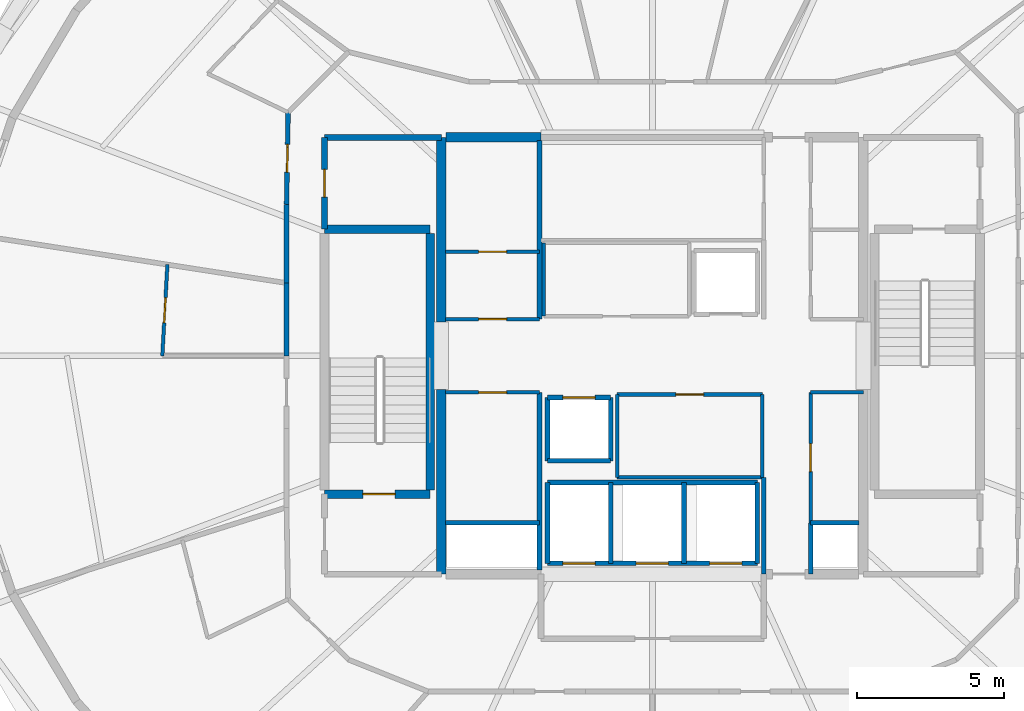
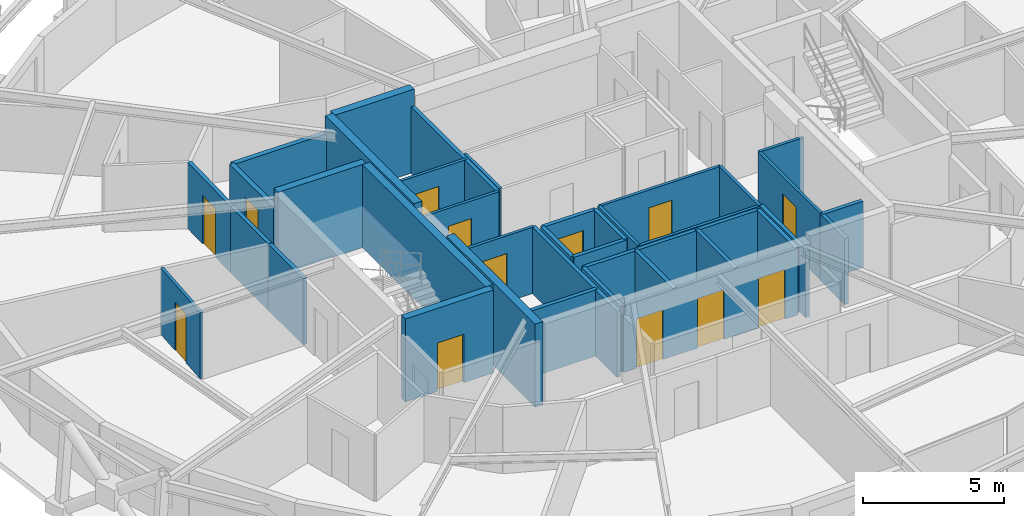
# One storey, part 13 of 17: 38 walls, 13 doors, 13 openings.
"""IFC4 building model written with IfcOpenShell, lengths in metres."""

from ifc_helpers import new_model, si_unit, direction, frame, frame_2d, origin, place, context, subcontext, project, spatial, rectangle, extrude, material, layer, layer_set, type_object, element, fill, save


model = new_model("IFC4")

# Units and contexts
model_context = context("Model", 3, precision=1e-05, world=origin(), true_north=direction((0.0, 1.0)))
body_context = subcontext(model_context, "Body", "Model", "MODEL_VIEW")
ifc_project = project(units=[si_unit("LENGTHUNIT", "METRE"), si_unit("AREAUNIT", "SQUARE_METRE"), si_unit("VOLUMEUNIT", "CUBIC_METRE"), si_unit("PLANEANGLEUNIT", "RADIAN"), si_unit("MASSUNIT", "GRAM", prefix="KILO")], contexts=[model_context])

# Site, building, storey
site_placement = place(None, origin())
site = spatial("IfcSite", under=ifc_project, at=site_placement, CompositionType="ELEMENT")
building_placement = place(site_placement, origin())
building = spatial("IfcBuilding", under=site, at=building_placement, Name="Veldorina Hangang Commons", CompositionType="ELEMENT")
storey_placement = place(building_placement, frame((0.0, 0.0, 214.800048828125)))
storey = spatial("IfcBuildingStorey", under=building, at=storey_placement, Name="L55", CompositionType="ELEMENT", Elevation=214.800048828125)

# Walls
ifc_material_1 = material(Name="Concrete C50/60", Category="concrete")
ifc_layer_1 = layer(ifc_material_1, 0.320068359375)
ifc_layer_set_1 = layer_set([ifc_layer_1], Name="Concrete C50/60")
wall_type_1 = type_object("IfcWallType", Name="CW-RC320-C50", PredefinedType="SHEAR", material=ifc_layer_set_1)
for number, where, z_axis, x_axis, name in (
    (1, (24.800048828125, 16.550048828125, 0.0), (0.0, 0.0, 1.0), (0.0, 1.0, 0.0), "L55 W south core shear wall"),
    (2, (24.800048828125, 25.14990234375, 0.0), (0.0, 0.0, 1.0), (0.0, 1.0, 0.0), "L55 W north core shear wall"),
):
    element("IfcWall", number, at=place(storey_placement, frame(where, z_axis=z_axis, x_axis=x_axis)), inside=storey, type_object=wall_type_1, Name=name, PredefinedType="SHEAR", context=body_context, shape_type="SweptSolid", body=[
        extrude(rectangle(XDim=6.300048828125, YDim=0.320068359375, at=frame_2d((3.14990234375, 0.0))), origin(), (0.0, 0.0, 1.0), 3.599853515625),
    ])
wall_1_placement = place(storey_placement, frame((24.9599609375, 31.449951171875, 0.0), z_axis=(0.0, 0.0, 1.0), x_axis=(1.0, 0.0, 0.0)))
element("IfcWall", 3, at=wall_1_placement, inside=storey, type_object=wall_type_1, Name="L55 north-west core shear wall", PredefinedType="SHEAR", context=body_context, shape_type="SweptSolid", body=[
    extrude(rectangle(XDim=3.239990234375, YDim=0.320068359375, at=frame_2d((1.6201171875, 0.0))), origin(), (0.0, 0.0, 1.0), 3.599853515625),
])
ifc_layer_2 = layer(ifc_material_1, 0.300048828125)
ifc_layer_set_2 = layer_set([ifc_layer_2], Name="Concrete C50/60")
wall_type_2 = type_object("IfcWallType", Name="SW-STAIR-300", PredefinedType="SHEAR", material=ifc_layer_set_2)
wall_2_placement = place(storey_placement, frame((24.419921875, 19.429931640625, 0.0), z_axis=(0.0, 0.0, 1.0), x_axis=(0.0, 1.0, 0.0)))
element("IfcWall", 4, at=wall_2_placement, inside=storey, type_object=wall_type_2, Name="L55 ST1 inner stair shear wall", PredefinedType="SHEAR", context=body_context, shape_type="SweptSolid", body=[
    extrude(rectangle(XDim=8.739990234375, YDim=0.300048828125, at=frame_2d((4.3701171875, 0.0))), origin(), (0.0, 0.0, 1.0), 3.599853515625),
])

# Wall, opening, door
wall_3_placement = place(storey_placement, frame((20.820068359375, 19.280029296875, 0.0), z_axis=(0.0, 0.0, 1.0), x_axis=(1.0, 0.0, 0.0)))
wall_3 = element("IfcWall", 5, at=wall_3_placement, inside=storey, type_object=wall_type_2, Name="L55 ST1 south stair shear wall", PredefinedType="SHEAR", context=body_context, shape_type="SweptSolid", body=[
    extrude(rectangle(XDim=3.599853515625, YDim=0.300048828125, at=frame_2d((1.7998046875, 0.0))), origin(), (0.0, 0.0, 1.0), 3.599853515625),
])
opening_1_placement = place(wall_3_placement, frame((1.300048828125, 0.0, 0.0)))
opening_1 = element("IfcOpeningElement", 6, at=opening_1_placement, cuts=wall_3, Name="Opening D-08", PredefinedType="OPENING", context=body_context, shape_type="SweptSolid", body=[
    extrude(rectangle(XDim=1.10009765625, YDim=2.10009765625, at=frame_2d((0.550048828125, 1.050048828125))), frame((0.0, 0.16015625, 0.0), z_axis=(0.0, -1.0, 0.0), x_axis=(1.0, 0.0, 0.0)), (0.0, 0.0, 1.0), 0.320068359375),
])
ifc_material_2 = material(Name="Steel Fire-Rated Smoke Seal", Category="steel")
door_type_1 = type_object("IfcDoorType", Name="DR-FIRE-1100", OperationType="SINGLE_SWING_RIGHT", PredefinedType="DOOR", material=ifc_material_2)
door_1_placement = place(opening_1_placement, origin())
door_1 = element("IfcDoor", 7, at=door_1_placement, inside=storey, type_object=door_type_1, Name="L55 Special Escape Stair ST-1 door", OperationType="SINGLE_SWING_LEFT", OverallHeight=2.10009765625, OverallWidth=1.10009765625, PredefinedType="DOOR", context=body_context, shape_type="SweptSolid", body=[
    extrude(rectangle(XDim=1.10009765625, YDim=2.10009765625, at=frame_2d((0.550048828125, 1.050048828125))), frame((0.0, 0.02490234375, 0.0), z_axis=(0.0, -1.0, 0.0), x_axis=(1.0, 0.0, 0.0)), (0.0, 0.0, 1.0), 0.050048828125),
])
fill(opening_1, door_1)

# Walls
wall_4_placement = place(storey_placement, frame((20.820068359375, 28.320068359375, 0.0), z_axis=(0.0, 0.0, 1.0), x_axis=(1.0, 0.0, 0.0)))
element("IfcWall", 8, at=wall_4_placement, inside=storey, type_object=wall_type_2, Name="L55 ST1 north stair shear wall", PredefinedType="SHEAR", context=body_context, shape_type="SweptSolid", body=[
    extrude(rectangle(XDim=3.599853515625, YDim=0.300048828125, at=frame_2d((1.7998046875, 0.0))), origin(), (0.0, 0.0, 1.0), 3.599853515625),
])
ifc_material_3 = material(Name="Gypsum Fire-Rated Twin Stud Wall", Category="gypsum")
ifc_layer_3 = layer(ifc_material_3, 0.159912109375)
ifc_layer_set_3 = layer_set([ifc_layer_3], Name="Gypsum Fire-Rated Twin Stud Wall")
wall_type_3 = type_object("IfcWallType", Name="WL-FIRE-160", PredefinedType="SOLIDWALL", material=ifc_layer_set_3)
wall_5_placement = place(storey_placement, frame((35.800048828125, 16.550048828125, 0.0), z_axis=(0.0, 0.0, 1.0), x_axis=(0.0, 1.0, 0.0)))
element("IfcWall", 9, at=wall_5_placement, inside=storey, type_object=wall_type_3, Name="L55 Lift passage SW wall 009", PredefinedType="SOLIDWALL", context=body_context, shape_type="SweptSolid", body=[
    extrude(rectangle(XDim=3.300048828125, YDim=0.159912109375, at=frame_2d((1.64990234375, 0.0))), origin(), (0.0, 0.0, 1.0), 2.869873046875),
])
wall_6_placement = place(storey_placement, frame((37.39990234375, 16.550048828125, 0.0), z_axis=(0.0, 0.0, 1.0), x_axis=(0.0, 1.0, 0.0)))
element("IfcWall", 10, at=wall_6_placement, inside=storey, type_object=wall_type_3, Name="L55 Lift passage SE stub 010", PredefinedType="SOLIDWALL", context=body_context, shape_type="SweptSolid", body=[
    extrude(rectangle(XDim=1.75, YDim=0.159912109375, at=frame_2d((0.875, 0.0))), origin(), (0.0, 0.0, 1.0), 2.869873046875),
])

# Wall, opening, door
wall_7_placement = place(storey_placement, frame((28.419921875, 22.580078125, 0.0), z_axis=(0.0, 0.0, 1.0), x_axis=(1.0, 0.0, 0.0)))
wall_7 = element("IfcWall", 11, at=wall_7_placement, inside=storey, type_object=wall_type_3, Name="L55 Shuttle-high front shaft wall 019", PredefinedType="SOLIDWALL", context=body_context, shape_type="SweptSolid", body=[
    extrude(rectangle(XDim=2.16015625, YDim=0.159912109375, at=frame_2d((1.080078125, 0.0))), origin(), (0.0, 0.0, 1.0), 2.869873046875),
])
opening_2_placement = place(wall_7_placement, frame((0.530029296875, 0.0, 0.0)))
opening_2 = element("IfcOpeningElement", 12, at=opening_2_placement, cuts=wall_7, Name="Opening LD-01", PredefinedType="OPENING", context=body_context, shape_type="SweptSolid", body=[
    extrude(rectangle(XDim=1.10009765625, YDim=2.14990234375, at=frame_2d((0.550048828125, 1.074951171875))), frame((0.0, 0.08984375, 0.0), z_axis=(0.0, -1.0, 0.0), x_axis=(1.0, 0.0, 0.0)), (0.0, 0.0, 1.0), 0.179931640625),
])
ifc_material_4 = material(Name="Stainless Steel Brushed Lift Door", Category="steel")
door_type_2 = type_object("IfcDoorType", Name="DR-LIFT-1100", OperationType="SLIDING_TO_LEFT", PredefinedType="DOOR", material=ifc_material_4)
door_2_placement = place(opening_2_placement, origin())
door_2 = element("IfcDoor", 13, at=door_2_placement, inside=storey, type_object=door_type_2, Name="L55 Lift PL-H2 landing door 007", OperationType="SLIDING_TO_LEFT", OverallHeight=2.14990234375, OverallWidth=1.10009765625, PredefinedType="DOOR", context=body_context, shape_type="SweptSolid", body=[
    extrude(rectangle(XDim=1.10009765625, YDim=2.14990234375, at=frame_2d((0.550048828125, 1.074951171875))), frame((0.0, 0.02490234375, 0.0), z_axis=(0.0, -1.0, 0.0), x_axis=(1.0, 0.0, 0.0)), (0.0, 0.0, 1.0), 0.050048828125),
])
fill(opening_2, door_2)

# Walls
for number, where, z_axis, x_axis, name in (
    (14, (28.419921875, 20.419921875, 0.0), (0.0, 0.0, 1.0), (1.0, 0.0, 0.0), "L55 Shuttle-high rear shaft wall 020"),
    (15, (28.419921875, 20.419921875, 0.0), (0.0, 0.0, 1.0), (0.0, 1.0, 0.0), "L55 PL-H2 west shaft wall 021"),
    (16, (30.580078125, 20.419921875, 0.0), (0.0, 0.0, 1.0), (0.0, 1.0, 0.0), "L55 PL-H2 east shaft wall 022"),
):
    element("IfcWall", number, at=place(storey_placement, frame(where, z_axis=z_axis, x_axis=x_axis)), inside=storey, type_object=wall_type_3, Name=name, PredefinedType="SOLIDWALL", context=body_context, shape_type="SweptSolid", body=[
        extrude(rectangle(XDim=2.16015625, YDim=0.159912109375, at=frame_2d((1.080078125, 0.0))), origin(), (0.0, 0.0, 1.0), 2.869873046875),
    ])

# Wall, openings, doors
wall_8_placement = place(storey_placement, frame((28.419921875, 16.919921875, 0.0), z_axis=(0.0, 0.0, 1.0), x_axis=(1.0, 0.0, 0.0)))
wall_8 = element("IfcWall", 17, at=wall_8_placement, inside=storey, type_object=wall_type_3, Name="L55 Emergency front shaft wall 023", PredefinedType="SOLIDWALL", context=body_context, shape_type="SweptSolid", body=[
    extrude(rectangle(XDim=7.16015625, YDim=0.159912109375, at=frame_2d((3.580078125, 0.0))), origin(), (0.0, 0.0, 1.0), 2.869873046875),
])
opening_3_placement = place(wall_8_placement, frame((0.530029296875, 0.0, 0.0)))
opening_3 = element("IfcOpeningElement", 18, at=opening_3_placement, cuts=wall_8, Name="Opening LD-03", PredefinedType="OPENING", context=body_context, shape_type="SweptSolid", body=[
    extrude(rectangle(XDim=1.10009765625, YDim=2.14990234375, at=frame_2d((0.550048828125, 1.074951171875))), frame((0.0, 0.08984375, 0.0), z_axis=(0.0, -1.0, 0.0), x_axis=(1.0, 0.0, 0.0)), (0.0, 0.0, 1.0), 0.179931640625),
])
opening_4_placement = place(wall_8_placement, frame((3.030029296875, 0.0, 0.0)))
opening_4 = element("IfcOpeningElement", 19, at=opening_4_placement, cuts=wall_8, Name="Opening LD-03", PredefinedType="OPENING", context=body_context, shape_type="SweptSolid", body=[
    extrude(rectangle(XDim=1.10009765625, YDim=2.14990234375, at=frame_2d((0.550048828125, 1.074951171875))), frame((0.0, 0.08984375, 0.0), z_axis=(0.0, -1.0, 0.0), x_axis=(1.0, 0.0, 0.0)), (0.0, 0.0, 1.0), 0.179931640625),
])
opening_5_placement = place(wall_8_placement, frame((5.530029296875, 0.0, 0.0)))
opening_5 = element("IfcOpeningElement", 20, at=opening_5_placement, cuts=wall_8, Name="Opening LD-03", PredefinedType="OPENING", context=body_context, shape_type="SweptSolid", body=[
    extrude(rectangle(XDim=1.10009765625, YDim=2.14990234375, at=frame_2d((0.550048828125, 1.074951171875))), frame((0.0, 0.08984375, 0.0), z_axis=(0.0, -1.0, 0.0), x_axis=(1.0, 0.0, 0.0)), (0.0, 0.0, 1.0), 0.179931640625),
])
ifc_material_5 = material(Name="Stainless Steel Firefighting Lift Door", Category="steel")
door_type_3 = type_object("IfcDoorType", Name="DR-LIFT-FF1100", OperationType="SLIDING_TO_RIGHT", PredefinedType="DOOR", material=ifc_material_5)
door_3_placement = place(opening_3_placement, origin())
door_3 = element("IfcDoor", 21, at=door_3_placement, inside=storey, type_object=door_type_3, Name="L55 Emergency lift FFL-1 landing door 008", OperationType="SLIDING_TO_RIGHT", OverallHeight=2.14990234375, OverallWidth=1.10009765625, PredefinedType="DOOR", context=body_context, shape_type="SweptSolid", body=[
    extrude(rectangle(XDim=1.10009765625, YDim=2.14990234375, at=frame_2d((0.550048828125, 1.074951171875))), frame((0.0, 0.02490234375, 0.0), z_axis=(0.0, -1.0, 0.0), x_axis=(1.0, 0.0, 0.0)), (0.0, 0.0, 1.0), 0.050048828125),
])
fill(opening_3, door_3)
door_4_placement = place(opening_4_placement, origin())
door_4 = element("IfcDoor", 22, at=door_4_placement, inside=storey, type_object=door_type_3, Name="L55 Emergency lift FFL-2 landing door 009", OperationType="SLIDING_TO_RIGHT", OverallHeight=2.14990234375, OverallWidth=1.10009765625, PredefinedType="DOOR", context=body_context, shape_type="SweptSolid", body=[
    extrude(rectangle(XDim=1.10009765625, YDim=2.14990234375, at=frame_2d((0.550048828125, 1.074951171875))), frame((0.0, 0.02490234375, 0.0), z_axis=(0.0, -1.0, 0.0), x_axis=(1.0, 0.0, 0.0)), (0.0, 0.0, 1.0), 0.050048828125),
])
fill(opening_4, door_4)
door_5_placement = place(opening_5_placement, origin())
door_5 = element("IfcDoor", 23, at=door_5_placement, inside=storey, type_object=door_type_3, Name="L55 Emergency lift EVL-1 landing door 010", OperationType="SLIDING_TO_RIGHT", OverallHeight=2.14990234375, OverallWidth=1.10009765625, PredefinedType="DOOR", context=body_context, shape_type="SweptSolid", body=[
    extrude(rectangle(XDim=1.10009765625, YDim=2.14990234375, at=frame_2d((0.550048828125, 1.074951171875))), frame((0.0, 0.02490234375, 0.0), z_axis=(0.0, -1.0, 0.0), x_axis=(1.0, 0.0, 0.0)), (0.0, 0.0, 1.0), 0.050048828125),
])
fill(opening_5, door_5)

# Walls
wall_9_placement = place(storey_placement, frame((28.419921875, 19.679931640625, 0.0), z_axis=(0.0, 0.0, 1.0), x_axis=(1.0, 0.0, 0.0)))
element("IfcWall", 24, at=wall_9_placement, inside=storey, type_object=wall_type_3, Name="L55 Emergency rear shaft wall 024", PredefinedType="SOLIDWALL", context=body_context, shape_type="SweptSolid", body=[
    extrude(rectangle(XDim=7.16015625, YDim=0.159912109375, at=frame_2d((3.580078125, 0.0))), origin(), (0.0, 0.0, 1.0), 2.869873046875),
])
for number, where, z_axis, x_axis, name in (
    (25, (28.419921875, 16.919921875, 0.0), (0.0, 0.0, 1.0), (0.0, 1.0, 0.0), "L55 FFL-1 west shaft wall 025"),
    (26, (30.580078125, 16.919921875, 0.0), (0.0, 0.0, 1.0), (0.0, 1.0, 0.0), "L55 FFL-1 east shaft wall 026"),
    (27, (33.080078125, 16.919921875, 0.0), (0.0, 0.0, 1.0), (0.0, 1.0, 0.0), "L55 FFL-2 east shaft wall 027"),
    (28, (35.580078125, 16.919921875, 0.0), (0.0, 0.0, 1.0), (0.0, 1.0, 0.0), "L55 EVL-1 east shaft wall 028"),
):
    element("IfcWall", number, at=place(storey_placement, frame(where, z_axis=z_axis, x_axis=x_axis)), inside=storey, type_object=wall_type_3, Name=name, PredefinedType="SOLIDWALL", context=body_context, shape_type="SweptSolid", body=[
        extrude(rectangle(XDim=2.760009765625, YDim=0.159912109375, at=frame_2d((1.3798828125, 0.0))), origin(), (0.0, 0.0, 1.0), 2.869873046875),
    ])
wall_10_placement = place(storey_placement, frame((24.949951171875, 18.300048828125, 0.0), z_axis=(0.0, 0.0, 1.0), x_axis=(1.0, 0.0, 0.0)))
element("IfcWall", 29, at=wall_10_placement, inside=storey, type_object=wall_type_3, Name="L55 Electrical riser wall 040", PredefinedType="SOLIDWALL", context=body_context, shape_type="SweptSolid", body=[
    extrude(rectangle(XDim=3.199951171875, YDim=0.159912109375, at=frame_2d((1.60009765625, 0.0))), origin(), (0.0, 0.0, 1.0), 2.869873046875),
])
wall_11_placement = place(storey_placement, frame((28.14990234375, 16.699951171875, 0.0), z_axis=(0.0, 0.0, 1.0), x_axis=(0.0, 1.0, 0.0)))
element("IfcWall", 30, at=wall_11_placement, inside=storey, type_object=wall_type_3, Name="L55 SW core inner wall 041", PredefinedType="SOLIDWALL", context=body_context, shape_type="SweptSolid", body=[
    extrude(rectangle(XDim=6.050048828125, YDim=0.159912109375, at=frame_2d((3.02490234375, 0.0))), origin(), (0.0, 0.0, 1.0), 2.869873046875),
])
wall_12_placement = place(storey_placement, frame((37.39990234375, 18.300048828125, 0.0), z_axis=(0.0, 0.0, 1.0), x_axis=(1.0, 0.0, 0.0)))
element("IfcWall", 31, at=wall_12_placement, inside=storey, type_object=wall_type_3, Name="L55 Plumbing riser wall 042", PredefinedType="SOLIDWALL", context=body_context, shape_type="SweptSolid", body=[
    extrude(rectangle(XDim=1.650146484375, YDim=0.159912109375, at=frame_2d((0.8251953125, 0.0))), origin(), (0.0, 0.0, 1.0), 2.869873046875),
])
wall_13_placement = place(storey_placement, frame((28.14990234375, 25.25, 0.0), z_axis=(0.0, 0.0, 1.0), x_axis=(0.0, 1.0, 0.0)))
element("IfcWall", 32, at=wall_13_placement, inside=storey, type_object=wall_type_3, Name="L55 NW core inner wall 043", PredefinedType="SOLIDWALL", context=body_context, shape_type="SweptSolid", body=[
    extrude(rectangle(XDim=6.10009765625, YDim=0.159912109375, at=frame_2d((3.050048828125, 0.0))), origin(), (0.0, 0.0, 1.0), 2.869873046875),
])

# Wall, opening, door
wall_14_placement = place(storey_placement, frame((19.5732421875, 32.30322265625, 0.0), z_axis=(0.0, 0.0, 1.0), x_axis=(-0.016981035134, -0.999855811828, 0.0)))
wall_14 = element("IfcWall", 33, at=wall_14_placement, inside=storey, type_object=wall_type_3, Name="L55 Compact collar outer wall 13 065", PredefinedType="SOLIDWALL", context=body_context, shape_type="SweptSolid", body=[
    extrude(rectangle(XDim=3.13427734375, YDim=0.159912109375, at=frame_2d((1.567138671875, 0.0))), origin(), (0.0, 0.0, 1.0), 2.869873046875),
])
opening_6_placement = place(wall_14_placement, frame((1.09228515625, 0.0, 0.0)))
opening_6 = element("IfcOpeningElement", 34, at=opening_6_placement, cuts=wall_14, Name="Opening D-03", PredefinedType="OPENING", context=body_context, shape_type="SweptSolid", body=[
    extrude(rectangle(XDim=0.949951171875, YDim=2.10009765625, at=frame_2d((0.47509765625, 1.050048828125))), frame((0.0, 0.08984375, 0.0), z_axis=(0.0, -1.0, 0.0), x_axis=(1.0, 0.0, 0.0)), (0.0, 0.0, 1.0), 0.179931640625),
])
ifc_material_6 = material(Name="Timber Fire-Rated Entrance Core", Category="wood")
door_type_4 = type_object("IfcDoorType", Name="DR-UNIT-950", OperationType="SINGLE_SWING_RIGHT", PredefinedType="DOOR", material=ifc_material_6)
door_6_placement = place(opening_6_placement, origin())
door_6 = element("IfcDoor", 35, at=door_6_placement, inside=storey, type_object=door_type_4, Name="L55 Studio 6 entrance door 031", OperationType="SINGLE_SWING_LEFT", OverallHeight=2.10009765625, OverallWidth=0.949951171875, PredefinedType="DOOR", context=body_context, shape_type="SweptSolid", body=[
    extrude(rectangle(XDim=0.949951171875, YDim=2.10009765625, at=frame_2d((0.47509765625, 1.050048828125))), frame((0.0, 0.02490234375, 0.0), z_axis=(0.0, -1.0, 0.0), x_axis=(1.0, 0.0, 0.0)), (0.0, 0.0, 1.0), 0.050048828125),
])
fill(opening_6, door_6)

# Walls
wall_15_placement = place(storey_placement, frame((19.52001953125, 29.16943359375, 0.0), z_axis=(0.0, 0.0, 1.0), x_axis=(0.0, -1.0, 0.0)))
element("IfcWall", 36, at=wall_15_placement, inside=storey, type_object=wall_type_3, Name="L55 Compact collar outer wall 14 066", PredefinedType="SOLIDWALL", context=body_context, shape_type="SweptSolid", body=[
    extrude(rectangle(XDim=2.68701171875, YDim=0.159912109375, at=frame_2d((1.343505859375, 0.0))), origin(), (0.0, 0.0, 1.0), 2.869873046875),
])
wall_16_placement = place(storey_placement, frame((19.52001953125, 26.482421875, 0.0), z_axis=(0.0, 0.0, 1.0), x_axis=(0.0, -1.0, 0.0)))
element("IfcWall", 37, at=wall_16_placement, inside=storey, type_object=wall_type_3, Name="L55 Compact collar outer wall 15 067", PredefinedType="SOLIDWALL", context=body_context, shape_type="SweptSolid", body=[
    extrude(rectangle(XDim=2.482421875, YDim=0.159912109375, at=frame_2d((1.2412109375, 0.0))), origin(), (0.0, 0.0, 1.0), 2.869873046875),
])

# Wall, opening, door
ifc_material_7 = material(Name="Concrete Blockwork Fire Wall C30/37", Category="masonry")
ifc_layer_4 = layer(ifc_material_7, 0.199951171875)
ifc_layer_set_4 = layer_set([ifc_layer_4], Name="Concrete Blockwork Fire Wall C30/37")
wall_type_4 = type_object("IfcWallType", Name="WL-FIRE-200", PredefinedType="SOLIDWALL", material=ifc_layer_set_4)
wall_17_placement = place(storey_placement, frame((20.820068359375, 28.320068359375, 0.0), z_axis=(0.0, 0.0, 1.0), x_axis=(0.0, 1.0, 0.0)))
wall_17 = element("IfcWall", 38, at=wall_17_placement, inside=storey, type_object=wall_type_4, Name="L55 NW core room outer wall 005", PredefinedType="SOLIDWALL", context=body_context, shape_type="SweptSolid", body=[
    extrude(rectangle(XDim=3.1298828125, YDim=0.199951171875, at=frame_2d((1.56494140625, 0.0))), origin(), (0.0, 0.0, 1.0), 2.869873046875),
])
opening_7_placement = place(wall_17_placement, frame((1.090087890625, 0.0, 0.0)))
opening_7 = element("IfcOpeningElement", 39, at=opening_7_placement, cuts=wall_17, Name="Opening D-04", PredefinedType="OPENING", context=body_context, shape_type="SweptSolid", body=[
    extrude(rectangle(XDim=0.949951171875, YDim=2.10009765625, at=frame_2d((0.47509765625, 1.050048828125))), frame((0.0, 0.10986328125, 0.0), z_axis=(0.0, -1.0, 0.0), x_axis=(1.0, 0.0, 0.0)), (0.0, 0.0, 1.0), 0.219970703125),
])
ifc_material_8 = material(Name="Timber Accessible Flush Leaf", Category="wood")
door_type_5 = type_object("IfcDoorType", Name="DR-ACC-950", OperationType="SINGLE_SWING_LEFT", PredefinedType="DOOR", material=ifc_material_8)
door_7_placement = place(opening_7_placement, origin())
door_7 = element("IfcDoor", 40, at=door_7_placement, inside=storey, type_object=door_type_5, Name="L55 NW core WC door 003", OperationType="SINGLE_SWING_LEFT", OverallHeight=2.10009765625, OverallWidth=0.949951171875, PredefinedType="DOOR", context=body_context, shape_type="SweptSolid", body=[
    extrude(rectangle(XDim=0.949951171875, YDim=2.10009765625, at=frame_2d((0.47509765625, 1.050048828125))), frame((0.0, 0.02490234375, 0.0), z_axis=(0.0, -1.0, 0.0), x_axis=(1.0, 0.0, 0.0)), (0.0, 0.0, 1.0), 0.050048828125),
])
fill(opening_7, door_7)

# Walls
wall_18_placement = place(storey_placement, frame((20.820068359375, 31.449951171875, 0.0), z_axis=(0.0, 0.0, 1.0), x_axis=(1.0, 0.0, 0.0)))
element("IfcWall", 41, at=wall_18_placement, inside=storey, type_object=wall_type_4, Name="L55 NW core room north wall 006", PredefinedType="SOLIDWALL", context=body_context, shape_type="SweptSolid", body=[
    extrude(rectangle(XDim=3.97998046875, YDim=0.199951171875, at=frame_2d((1.989990234375, 0.0))), origin(), (0.0, 0.0, 1.0), 2.869873046875),
])
ifc_material_9 = material(Name="Gypsum Acoustic Stud Partition", Category="gypsum")
ifc_layer_5 = layer(ifc_material_9, 0.1201171875)
ifc_layer_set_5 = layer_set([ifc_layer_5], Name="Gypsum Acoustic Stud Partition")
wall_type_5 = type_object("IfcWallType", Name="WL-PART-120", PredefinedType="PARTITIONING", material=ifc_layer_set_5)
wall_19_placement = place(storey_placement, frame((28.300048828125, 25.35009765625, 0.0), z_axis=(0.0, 0.0, 1.0), x_axis=(0.0, 1.0, 0.0)))
element("IfcWall", 42, at=wall_19_placement, inside=storey, type_object=wall_type_5, Name="L55 Merged mid-bank west wall 034", PredefinedType="PARTITIONING", context=body_context, shape_type="SweptSolid", body=[
    extrude(rectangle(XDim=2.5, YDim=0.1201171875, at=frame_2d((1.25, 0.0))), origin(), (0.0, 0.0, 1.0), 2.869873046875),
])

# Wall, opening, door
wall_20_placement = place(storey_placement, frame((30.800048828125, 22.679931640625, 0.0), z_axis=(0.0, 0.0, 1.0), x_axis=(1.0, 0.0, 0.0)))
wall_20 = element("IfcWall", 43, at=wall_20_placement, inside=storey, type_object=wall_type_5, Name="L55 Merged shuttle north wall 036", PredefinedType="PARTITIONING", context=body_context, shape_type="SweptSolid", body=[
    extrude(rectangle(XDim=4.949951171875, YDim=0.1201171875, at=frame_2d((2.47509765625, 0.0))), origin(), (0.0, 0.0, 1.0), 2.869873046875),
])
opening_8_placement = place(wall_20_placement, frame((2.0, 0.0, 0.0)))
opening_8 = element("IfcOpeningElement", 44, at=opening_8_placement, cuts=wall_20, Name="Opening D-02", PredefinedType="OPENING", context=body_context, shape_type="SweptSolid", body=[
    extrude(rectangle(XDim=0.949951171875, YDim=2.10009765625, at=frame_2d((0.47509765625, 1.050048828125))), frame((0.0, 0.070068359375, 0.0), z_axis=(0.0, -1.0, 0.0), x_axis=(1.0, 0.0, 0.0)), (0.0, 0.0, 1.0), 0.14013671875),
])
ifc_material_10 = material(Name="Timber Solid Core Acoustic", Category="wood")
door_type_6 = type_object("IfcDoorType", Name="DR-INT-950", OperationType="SINGLE_SWING_LEFT", PredefinedType="DOOR", material=ifc_material_10)
door_8_placement = place(opening_8_placement, origin())
door_8 = element("IfcDoor", 45, at=door_8_placement, inside=storey, type_object=door_type_6, Name="L55 Floor tea pantry door 013", OperationType="SINGLE_SWING_LEFT", OverallHeight=2.10009765625, OverallWidth=0.949951171875, PredefinedType="DOOR", context=body_context, shape_type="SweptSolid", body=[
    extrude(rectangle(XDim=0.949951171875, YDim=2.10009765625, at=frame_2d((0.47509765625, 1.050048828125))), frame((0.0, 0.02490234375, 0.0), z_axis=(0.0, -1.0, 0.0), x_axis=(1.0, 0.0, 0.0)), (0.0, 0.0, 1.0), 0.050048828125),
])
fill(opening_8, door_8)

# Walls
wall_21_placement = place(storey_placement, frame((30.800048828125, 19.85009765625, 0.0), z_axis=(0.0, 0.0, 1.0), x_axis=(1.0, 0.0, 0.0)))
element("IfcWall", 46, at=wall_21_placement, inside=storey, type_object=wall_type_5, Name="L55 Merged shuttle south wall 037", PredefinedType="PARTITIONING", context=body_context, shape_type="SweptSolid", body=[
    extrude(rectangle(XDim=4.949951171875, YDim=0.1201171875, at=frame_2d((2.47509765625, 0.0))), origin(), (0.0, 0.0, 1.0), 2.869873046875),
])
for number, where, z_axis, x_axis, name in (
    (47, (30.800048828125, 19.85009765625, 0.0), (0.0, 0.0, 1.0), (0.0, 1.0, 0.0), "L55 Merged shuttle west wall 038"),
    (48, (35.75, 19.85009765625, 0.0), (0.0, 0.0, 1.0), (0.0, 1.0, 0.0), "L55 Merged shuttle east wall 039"),
):
    element("IfcWall", number, at=place(storey_placement, frame(where, z_axis=z_axis, x_axis=x_axis)), inside=storey, type_object=wall_type_5, Name=name, PredefinedType="PARTITIONING", context=body_context, shape_type="SweptSolid", body=[
        extrude(rectangle(XDim=2.829833984375, YDim=0.1201171875, at=frame_2d((1.4150390625, 0.0))), origin(), (0.0, 0.0, 1.0), 2.869873046875),
    ])

# Wall, opening, door
wall_22_placement = place(storey_placement, frame((24.949951171875, 25.25, 0.0), z_axis=(0.0, 0.0, 1.0), x_axis=(1.0, 0.0, 0.0)))
wall_22 = element("IfcWall", 49, at=wall_22_placement, inside=storey, type_object=wall_type_5, Name="L55 NW service south wall 044", PredefinedType="PARTITIONING", context=body_context, shape_type="SweptSolid", body=[
    extrude(rectangle(XDim=3.199951171875, YDim=0.1201171875, at=frame_2d((1.60009765625, 0.0))), origin(), (0.0, 0.0, 1.0), 2.869873046875),
])
opening_9_placement = place(wall_22_placement, frame((1.125, 0.0, 0.0)))
opening_9 = element("IfcOpeningElement", 50, at=opening_9_placement, cuts=wall_22, Name="Opening D-02", PredefinedType="OPENING", context=body_context, shape_type="SweptSolid", body=[
    extrude(rectangle(XDim=0.949951171875, YDim=2.10009765625, at=frame_2d((0.47509765625, 1.050048828125))), frame((0.0, 0.070068359375, 0.0), z_axis=(0.0, -1.0, 0.0), x_axis=(1.0, 0.0, 0.0)), (0.0, 0.0, 1.0), 0.14013671875),
])
door_9_placement = place(opening_9_placement, origin())
door_9 = element("IfcDoor", 51, at=door_9_placement, inside=storey, type_object=door_type_6, Name="L55 Housekeeping pantry door 014", OperationType="SINGLE_SWING_RIGHT", OverallHeight=2.10009765625, OverallWidth=0.949951171875, PredefinedType="DOOR", context=body_context, shape_type="SweptSolid", body=[
    extrude(rectangle(XDim=0.949951171875, YDim=2.10009765625, at=frame_2d((0.47509765625, 1.050048828125))), frame((0.0, 0.02490234375, 0.0), z_axis=(0.0, -1.0, 0.0), x_axis=(1.0, 0.0, 0.0)), (0.0, 0.0, 1.0), 0.050048828125),
])
fill(opening_9, door_9)

wall_23_placement = place(storey_placement, frame((24.949951171875, 22.75, 0.0), z_axis=(0.0, 0.0, 1.0), x_axis=(1.0, 0.0, 0.0)))
wall_23 = element("IfcWall", 52, at=wall_23_placement, inside=storey, type_object=wall_type_5, Name="L55 SW service north wall 045", PredefinedType="PARTITIONING", context=body_context, shape_type="SweptSolid", body=[
    extrude(rectangle(XDim=3.199951171875, YDim=0.1201171875, at=frame_2d((1.60009765625, 0.0))), origin(), (0.0, 0.0, 1.0), 2.869873046875),
])
opening_10_placement = place(wall_23_placement, frame((1.125, 0.0, 0.0)))
opening_10 = element("IfcOpeningElement", 53, at=opening_10_placement, cuts=wall_23, Name="Opening D-02", PredefinedType="OPENING", context=body_context, shape_type="SweptSolid", body=[
    extrude(rectangle(XDim=0.949951171875, YDim=2.10009765625, at=frame_2d((0.47509765625, 1.050048828125))), frame((0.0, 0.070068359375, 0.0), z_axis=(0.0, -1.0, 0.0), x_axis=(1.0, 0.0, 0.0)), (0.0, 0.0, 1.0), 0.14013671875),
])
door_10_placement = place(opening_10_placement, origin())
door_10 = element("IfcDoor", 54, at=door_10_placement, inside=storey, type_object=door_type_6, Name="L55 Waste sorting door 016", OperationType="SINGLE_SWING_RIGHT", OverallHeight=2.10009765625, OverallWidth=0.949951171875, PredefinedType="DOOR", context=body_context, shape_type="SweptSolid", body=[
    extrude(rectangle(XDim=0.949951171875, YDim=2.10009765625, at=frame_2d((0.47509765625, 1.050048828125))), frame((0.0, 0.02490234375, 0.0), z_axis=(0.0, -1.0, 0.0), x_axis=(1.0, 0.0, 0.0)), (0.0, 0.0, 1.0), 0.050048828125),
])
fill(opening_10, door_10)

wall_24_placement = place(storey_placement, frame((37.39990234375, 18.300048828125, 0.0), z_axis=(0.0, 0.0, 1.0), x_axis=(0.0, 1.0, 0.0)))
wall_24 = element("IfcWall", 55, at=wall_24_placement, inside=storey, type_object=wall_type_5, Name="L55 SE strip lobby wall 048", PredefinedType="PARTITIONING", context=body_context, shape_type="SweptSolid", body=[
    extrude(rectangle(XDim=4.449951171875, YDim=0.1201171875, at=frame_2d((2.22509765625, 0.0))), origin(), (0.0, 0.0, 1.0), 2.869873046875),
])
opening_11_placement = place(wall_24_placement, frame((1.75, 0.0, 0.0)))
opening_11 = element("IfcOpeningElement", 56, at=opening_11_placement, cuts=wall_24, Name="Opening D-02", PredefinedType="OPENING", context=body_context, shape_type="SweptSolid", body=[
    extrude(rectangle(XDim=0.949951171875, YDim=2.10009765625, at=frame_2d((0.47509765625, 1.050048828125))), frame((0.0, 0.070068359375, 0.0), z_axis=(0.0, -1.0, 0.0), x_axis=(1.0, 0.0, 0.0)), (0.0, 0.0, 1.0), 0.14013671875),
])
door_11_placement = place(opening_11_placement, origin())
door_11 = element("IfcDoor", 57, at=door_11_placement, inside=storey, type_object=door_type_6, Name="L55 Cleaners supply door 019", OperationType="SINGLE_SWING_LEFT", OverallHeight=2.10009765625, OverallWidth=0.949951171875, PredefinedType="DOOR", context=body_context, shape_type="SweptSolid", body=[
    extrude(rectangle(XDim=0.949951171875, YDim=2.10009765625, at=frame_2d((0.47509765625, 1.050048828125))), frame((0.0, 0.02490234375, 0.0), z_axis=(0.0, -1.0, 0.0), x_axis=(1.0, 0.0, 0.0)), (0.0, 0.0, 1.0), 0.050048828125),
])
fill(opening_11, door_11)

# Wall
wall_25_placement = place(storey_placement, frame((37.39990234375, 22.75, 0.0), z_axis=(0.0, 0.0, 1.0), x_axis=(1.0, 0.0, 0.0)))
element("IfcWall", 58, at=wall_25_placement, inside=storey, type_object=wall_type_5, Name="L55 SE strip north return wall 049", PredefinedType="PARTITIONING", context=body_context, shape_type="SweptSolid", body=[
    extrude(rectangle(XDim=1.800048828125, YDim=0.1201171875, at=frame_2d((0.89990234375, 0.0))), origin(), (0.0, 0.0, 1.0), 2.869873046875),
])

# Wall, opening, door
wall_26_placement = place(storey_placement, frame((24.949951171875, 27.550048828125, 0.0), z_axis=(0.0, 0.0, 1.0), x_axis=(1.0, 0.0, 0.0)))
wall_26 = element("IfcWall", 59, at=wall_26_placement, inside=storey, type_object=wall_type_5, Name="L55 NW mid wall 050", PredefinedType="PARTITIONING", context=body_context, shape_type="SweptSolid", body=[
    extrude(rectangle(XDim=3.199951171875, YDim=0.1201171875, at=frame_2d((1.60009765625, 0.0))), origin(), (0.0, 0.0, 1.0), 2.869873046875),
])
opening_12_placement = place(wall_26_placement, frame((1.125, 0.0, 0.0)))
opening_12 = element("IfcOpeningElement", 60, at=opening_12_placement, cuts=wall_26, Name="Opening D-02", PredefinedType="OPENING", context=body_context, shape_type="SweptSolid", body=[
    extrude(rectangle(XDim=0.949951171875, YDim=2.10009765625, at=frame_2d((0.47509765625, 1.050048828125))), frame((0.0, 0.070068359375, 0.0), z_axis=(0.0, -1.0, 0.0), x_axis=(1.0, 0.0, 0.0)), (0.0, 0.0, 1.0), 0.14013671875),
])
door_12_placement = place(opening_12_placement, origin())
door_12 = element("IfcDoor", 61, at=door_12_placement, inside=storey, type_object=door_type_6, Name="L55 Bedding store door 015", OperationType="SINGLE_SWING_LEFT", OverallHeight=2.10009765625, OverallWidth=0.949951171875, PredefinedType="DOOR", context=body_context, shape_type="SweptSolid", body=[
    extrude(rectangle(XDim=0.949951171875, YDim=2.10009765625, at=frame_2d((0.47509765625, 1.050048828125))), frame((0.0, 0.02490234375, 0.0), z_axis=(0.0, -1.0, 0.0), x_axis=(1.0, 0.0, 0.0)), (0.0, 0.0, 1.0), 0.050048828125),
])
fill(opening_12, door_12)

wall_27_placement = place(storey_placement, frame((15.45556640625, 27.112060546875, 0.0), z_axis=(0.0, 0.0, 1.0), x_axis=(-0.055378916224, -0.998465410336, 0.0)))
wall_27 = element("IfcWall", 62, at=wall_27_placement, inside=storey, type_object=wall_type_5, Name="L55 Studio 7 bath front wall 106", PredefinedType="PARTITIONING", context=body_context, shape_type="SweptSolid", body=[
    extrude(rectangle(XDim=3.116943359375, YDim=0.1201171875, at=frame_2d((1.55859375, 0.0))), origin(), (0.0, 0.0, 1.0), 2.869873046875),
])
opening_13_placement = place(wall_27_placement, frame((1.12841796875, 0.0, 0.0)))
opening_13 = element("IfcOpeningElement", 63, at=opening_13_placement, cuts=wall_27, Name="Opening D-01", PredefinedType="OPENING", context=body_context, shape_type="SweptSolid", body=[
    extrude(rectangle(XDim=0.860107421875, YDim=2.10009765625, at=frame_2d((0.43017578125, 1.050048828125))), frame((0.0, 0.070068359375, 0.0), z_axis=(0.0, -1.0, 0.0), x_axis=(1.0, 0.0, 0.0)), (0.0, 0.0, 1.0), 0.14013671875),
])
ifc_material_11 = material(Name="Timber Moisture-Resistant Core", Category="wood")
door_type_7 = type_object("IfcDoorType", Name="DR-WET-860", OperationType="SINGLE_SWING_LEFT", PredefinedType="DOOR", material=ifc_material_11)
door_13_placement = place(opening_13_placement, origin())
door_13 = element("IfcDoor", 64, at=door_13_placement, inside=storey, type_object=door_type_7, Name="L55 Studio 7 bathroom door 032", OperationType="SINGLE_SWING_RIGHT", OverallHeight=2.10009765625, OverallWidth=0.860107421875, PredefinedType="DOOR", context=body_context, shape_type="SweptSolid", body=[
    extrude(rectangle(XDim=0.860107421875, YDim=2.10009765625, at=frame_2d((0.43017578125, 1.050048828125))), frame((0.0, 0.02490234375, 0.0), z_axis=(0.0, -1.0, 0.0), x_axis=(1.0, 0.0, 0.0)), (0.0, 0.0, 1.0), 0.050048828125),
])
fill(opening_13, door_13)

save(model, "model.ifc")
